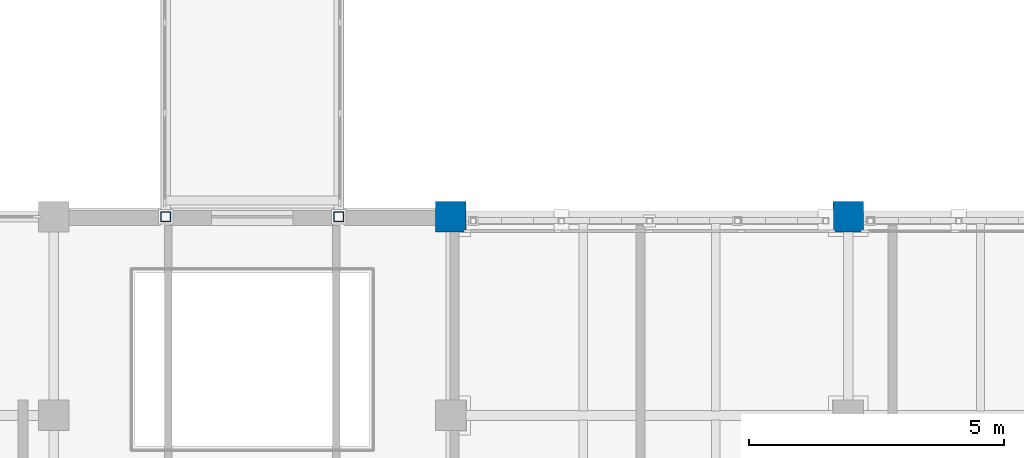
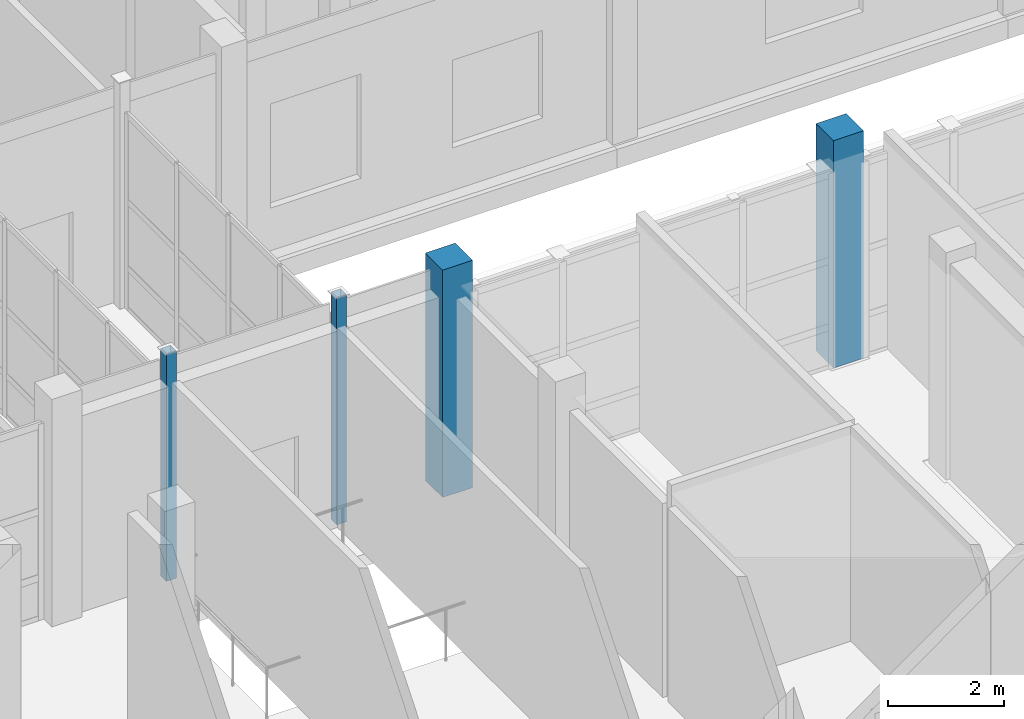
# One storey, part 2 of 138: 4 columns.
"""IFC4 building model written with IfcOpenShell, lengths in metres."""

from ifc_helpers import new_model, si_unit, direction, frame, origin, origin_2d, place, context, subcontext, project, spatial, rectangle, hollow_rectangle, extrude, material, material_profile, profile_set, type_object, element, save


model = new_model("IFC4")

# Units and contexts
model_context = context("Model", 3, precision=1e-05, world=origin(), true_north=direction((0.0, 1.0)))
body_context = subcontext(model_context, "Body", "Model", "MODEL_VIEW")
ifc_project = project(units=[si_unit("LENGTHUNIT", "METRE"), si_unit("AREAUNIT", "SQUARE_METRE"), si_unit("VOLUMEUNIT", "CUBIC_METRE"), si_unit("PLANEANGLEUNIT", "RADIAN"), si_unit("MASSUNIT", "GRAM", prefix="KILO")], contexts=[model_context])

# Site, building, storey
site_placement = place(None, origin())
site = spatial("IfcSite", under=ifc_project, at=site_placement, CompositionType="ELEMENT")
building_placement = place(site_placement, origin())
building = spatial("IfcBuilding", under=site, at=building_placement, Name="Celorna Specialist Clinic", CompositionType="ELEMENT")
storey_placement = place(building_placement, frame((0.0, 0.0, 4.800048828125)))
storey = spatial("IfcBuildingStorey", under=building, at=storey_placement, Name="L01", CompositionType="ELEMENT", Elevation=4.800048828125)

# Columns
ifc_material_1 = material(Name="Concrete C40/50", Category="concrete")
ifc_material_profile_1 = material_profile(ifc_material_1, rectangle(XDim=0.60009765625, YDim=0.60009765625, at=origin_2d()), Name="RC 600x600")
ifc_profile_set_1 = profile_set([ifc_material_profile_1], Name="Concrete C40/50")
column_type_1 = type_object("IfcColumnType", Name="CT-04", PredefinedType="COLUMN", material=ifc_profile_set_1)
for number, where, z_axis, x_axis, name in (
    (1, (23.39990234375, 27.300048828125, 0.0), (0.0, 0.0, 1.0), (1.0, 0.0, 0.0), "Column CT-04 L01 X04/YF"),
    (2, (31.199951171875, 27.300048828125, 0.0), (0.0, 0.0, 1.0), (1.0, 0.0, 0.0), "Column CT-04 L01 X05/YF"),
):
    element("IfcColumn", number, at=place(storey_placement, frame(where, z_axis=z_axis, x_axis=x_axis)), inside=storey, type_object=column_type_1, Name=name, PredefinedType="COLUMN", context=body_context, shape_type="SweptSolid", body=[
        extrude(rectangle(XDim=0.60009765625, YDim=0.60009765625, at=origin_2d()), origin(), (0.0, 0.0, 1.0), 4.800048828125),
    ])
ifc_material_2 = material(Name="Steel S355", Category="steel")
ifc_material_profile_2 = material_profile(ifc_material_2, hollow_rectangle(XDim=0.199951171875, YDim=0.199951171875, WallThickness=0.010009765625, at=origin_2d()), Name="SHS 200x200x10")
ifc_profile_set_2 = profile_set([ifc_material_profile_2], Name="Steel S355")
column_type_2 = type_object("IfcColumnType", Name="CT-15", PredefinedType="COLUMN", material=ifc_profile_set_2)
for number, where, z_axis, x_axis, name in (
    (3, (17.800048828125, 27.300048828125, 0.0), (0.0, 0.0, 1.0), (1.0, 0.0, 0.0), "Column CT-15 L01 X03/YF"),
    (4, (21.199951171875, 27.300048828125, 0.0), (0.0, 0.0, 1.0), (1.0, 0.0, 0.0), "Column CT-15 L01 X04/YF"),
):
    element("IfcColumn", number, at=place(storey_placement, frame(where, z_axis=z_axis, x_axis=x_axis)), inside=storey, type_object=column_type_2, Name=name, PredefinedType="COLUMN", context=body_context, shape_type="SweptSolid", body=[
        extrude(hollow_rectangle(XDim=0.199951171875, YDim=0.199951171875, WallThickness=0.010009765625, at=origin_2d()), origin(), (0.0, 0.0, 1.0), 4.800048828125),
    ])

save(model, "model.ifc")
